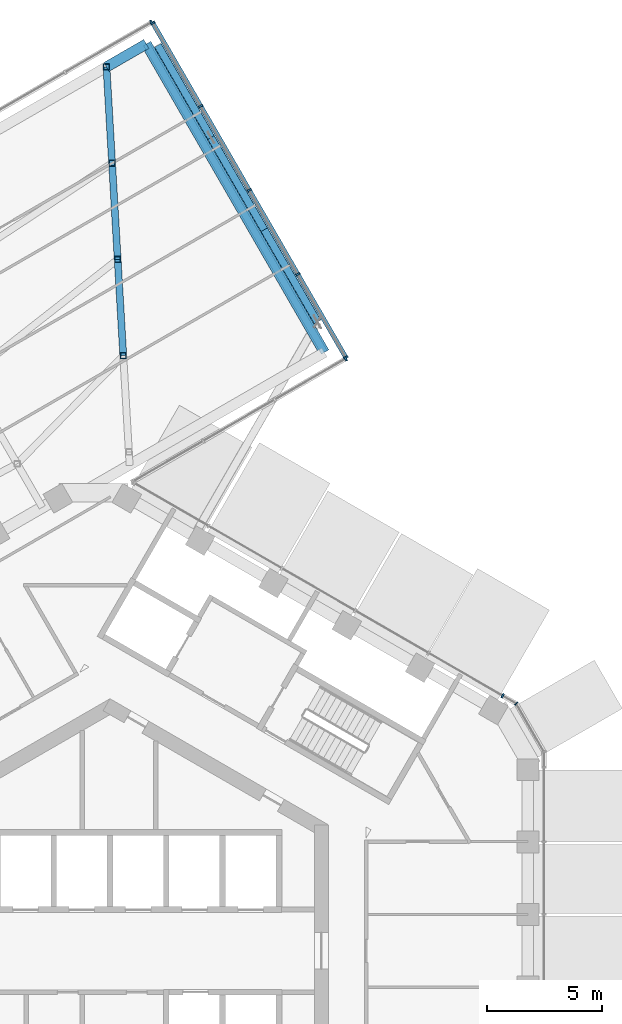
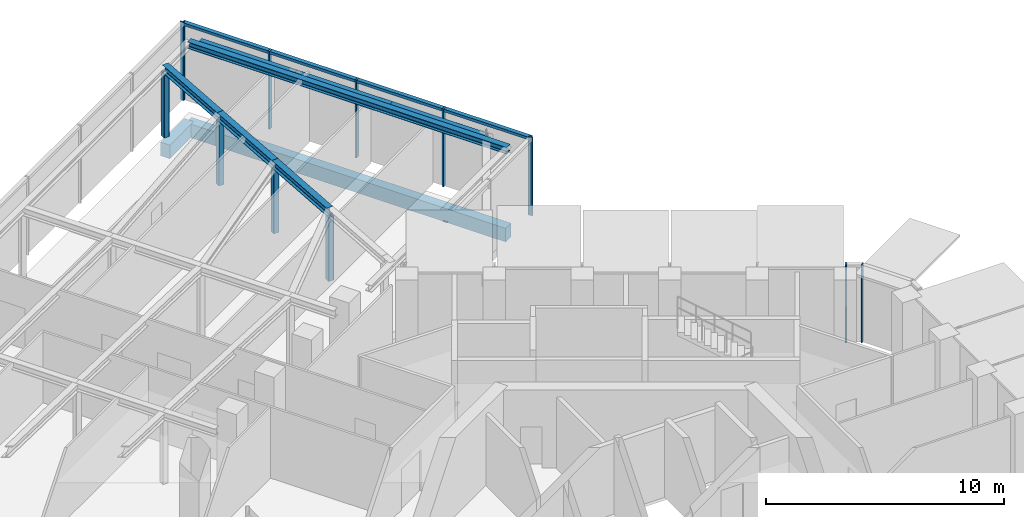
# One storey, part 9 of 27: 17 members, 6 beams, 5 elements without a shape of their own.
"""IFC4 building model written with IfcOpenShell, lengths in metres."""

from ifc_helpers import new_model, si_unit, direction, frame, origin, origin_2d, place, context, subcontext, project, spatial, rectangle, hollow_rectangle, i_section, extrude, material, layer, layer_set, material_profile, profile_set, type_object, element, aggregate, save


model = new_model("IFC4")

# Units and contexts
model_context = context("Model", 3, precision=1e-05, world=origin(), true_north=direction((0.0, 1.0)))
body_context = subcontext(model_context, "Body", "Model", "MODEL_VIEW")
ifc_project = project(units=[si_unit("LENGTHUNIT", "METRE"), si_unit("AREAUNIT", "SQUARE_METRE"), si_unit("VOLUMEUNIT", "CUBIC_METRE"), si_unit("PLANEANGLEUNIT", "RADIAN"), si_unit("MASSUNIT", "GRAM", prefix="KILO")], contexts=[model_context])

# Site, building, storey
site_placement = place(None, origin())
site = spatial("IfcSite", under=ifc_project, at=site_placement, CompositionType="ELEMENT")
building_placement = place(site_placement, origin())
building = spatial("IfcBuilding", under=site, at=building_placement, Name="Ayvan Gate Tower", CompositionType="ELEMENT")
storey_placement = place(building_placement, frame((0.0, 0.0, 194.699951171875)))
storey = spatial("IfcBuildingStorey", under=building, at=storey_placement, Name="L52", CompositionType="ELEMENT", Elevation=194.699951171875)

# Beams
ifc_material_1 = material(Name="Concrete C40/50", Category="concrete")
ifc_material_profile_1 = material_profile(ifc_material_1, rectangle(XDim=0.449951171875, YDim=0.699951171875, at=origin_2d()), Name="RC 450x700")
ifc_profile_set_1 = profile_set([ifc_material_profile_1], Name="Concrete C40/50")
beam_type_1 = type_object("IfcBeamType", Name="Sky bar edge beam RC 450x700 C40/50", PredefinedType="BEAM", material=ifc_profile_set_1)
beam_1_placement = place(storey_placement, frame((-0.152099609375, 38.463623046875, -0.75), z_axis=(0.866010750942, 0.50002537861, 0.0), x_axis=(-0.50002537861, 0.866010750942, 0.0)))
element("IfcBeam", 1, at=beam_1_placement, inside=storey, type_object=beam_type_1, Name="EB-B4-L52-7", PredefinedType="BEAM", context=body_context, shape_type="SweptSolid", body=[
    extrude(rectangle(XDim=0.449951171875, YDim=0.699951171875, at=origin_2d()), origin(), (0.0, 0.0, 1.0), 2.0),
])
beam_2_placement = place(storey_placement, frame((1.579833984375, 39.463623046875, -0.75), z_axis=(0.500001506187, -0.866024534185, 0.0), x_axis=(0.866024534185, 0.500001506187, 0.0)))
element("IfcBeam", 2, at=beam_2_placement, inside=storey, type_object=beam_type_1, Name="EB-B4-L52-8", PredefinedType="BEAM", context=body_context, shape_type="SweptSolid", body=[
    extrude(rectangle(XDim=0.449951171875, YDim=0.699951171875, at=origin_2d()), origin(), (0.0, 0.0, 1.0), 15.5),
])
ifc_material_2 = material(Name="Steel S460ML", Category="steel")
ifc_material_profile_2 = material_profile(ifc_material_2, i_section(OverallWidth=0.300048828125, OverallDepth=0.39990234375, WebThickness=0.013427734375, FlangeThickness=0.02392578125, FilletRadius=0.027099609375, at=origin_2d()), Name="HE 400 B")
ifc_profile_set_2 = profile_set([ifc_material_profile_2], Name="Steel S460ML")
beam_type_2 = type_object("IfcBeamType", Name="Sky bar roof beam B4 HE 400 B", PredefinedType="BEAM", material=ifc_profile_set_2)
beam_3_placement = place(storey_placement, frame((0.578125, 25.8984375, 3.5), z_axis=(-0.058015896038, 0.998315659402, 0.0), x_axis=(-0.998315659402, -0.058015896038, 0.0)))
element("IfcBeam", 3, at=beam_3_placement, inside=storey, type_object=beam_type_2, Name="RB-B4-SBT4-1-3", PredefinedType="BEAM", context=body_context, shape_type="SweptSolid", body=[
    extrude(i_section(OverallWidth=0.300048828125, OverallDepth=0.39990234375, WebThickness=0.013427734375, FlangeThickness=0.02392578125, FilletRadius=0.027099609375, at=origin_2d()), origin(), (0.0, 0.0, 1.0), 4.195556640625),
])
beam_4_placement = place(storey_placement, frame((0.334716796875, 30.0869140625, 3.5), z_axis=(-0.058019266519, 0.998315463525, 0.0), x_axis=(-0.998315463525, -0.058019266519, 0.0)))
element("IfcBeam", 4, at=beam_4_placement, inside=storey, type_object=beam_type_2, Name="RB-B4-SBT4-1-4", PredefinedType="BEAM", context=body_context, shape_type="SweptSolid", body=[
    extrude(i_section(OverallWidth=0.300048828125, OverallDepth=0.39990234375, WebThickness=0.013427734375, FlangeThickness=0.02392578125, FilletRadius=0.027099609375, at=origin_2d()), origin(), (0.0, 0.0, 1.0), 4.1953125),
])
beam_5_placement = place(storey_placement, frame((0.09130859375, 34.275146484375, 3.5), z_axis=(-0.058015896038, 0.998315659402, 0.0), x_axis=(-0.998315659402, -0.058015896038, 0.0)))
element("IfcBeam", 5, at=beam_5_placement, inside=storey, type_object=beam_type_2, Name="RB-B4-SBT4-1-5", PredefinedType="BEAM", context=body_context, shape_type="SweptSolid", body=[
    extrude(i_section(OverallWidth=0.300048828125, OverallDepth=0.39990234375, WebThickness=0.013427734375, FlangeThickness=0.02392578125, FilletRadius=0.027099609375, at=origin_2d()), origin(), (0.0, 0.0, 1.0), 4.195556640625),
])
ifc_material_profile_3 = material_profile(ifc_material_2, i_section(OverallWidth=0.300048828125, OverallDepth=0.340087890625, WebThickness=0.011962890625, FlangeThickness=0.021484375, FilletRadius=0.027099609375, at=origin_2d()), Name="HE 340 B")
ifc_profile_set_3 = profile_set([ifc_material_profile_3], Name="Steel S460ML")
beam_type_3 = type_object("IfcBeamType", Name="Sky bar roof edge beam B4 HE 340 B", PredefinedType="BEAM", material=ifc_profile_set_3)
beam_6_placement = place(storey_placement, frame((1.579833984375, 39.463623046875, 3.530029296875), z_axis=(0.500001506187, -0.866024534185, 0.0), x_axis=(0.866024534185, 0.500001506187, 0.0)))
element("IfcBeam", 6, at=beam_6_placement, inside=storey, type_object=beam_type_3, Name="RE-B4-1-4", PredefinedType="BEAM", context=body_context, shape_type="SweptSolid", body=[
    extrude(i_section(OverallWidth=0.300048828125, OverallDepth=0.340087890625, WebThickness=0.011962890625, FlangeThickness=0.021484375, FilletRadius=0.027099609375, at=origin_2d()), origin(), (0.0, 0.0, 1.0), 15.5),
])

# Members
ifc_material_3 = material(Name="Steel S460NH", Category="steel")
ifc_material_profile_4 = material_profile(ifc_material_3, hollow_rectangle(XDim=0.260009765625, YDim=0.260009765625, WallThickness=0.012451171875, InnerFilletRadius=0.012451171875, OuterFilletRadius=0.018798828125, at=origin_2d()), Name="RHS 260x260x12.5")
ifc_profile_set_4 = profile_set([ifc_material_profile_4], Name="Steel S460NH")
member_type_1 = type_object("IfcMemberType", Name="Sky bar roof post B4 RHS 260x260x12.5", PredefinedType="POST", material=ifc_profile_set_4)
for number, where, z_axis, x_axis, name in (
    (7, (0.578125, 25.8984375, 0.0), (0.0, 0.0, 1.0), (1.0, 0.0, 0.0), "RP-B4-SBT4-1-2"),
    (8, (0.334716796875, 30.0869140625, 0.0), (0.0, 0.0, 1.0), (1.0, 0.0, 0.0), "RP-B4-SBT4-1-3"),
    (9, (0.09130859375, 34.275146484375, 0.0), (0.0, 0.0, 1.0), (1.0, 0.0, 0.0), "RP-B4-SBT4-1-4"),
    (10, (-0.152099609375, 38.463623046875, 0.0), (0.0, 0.0, 1.0), (1.0, 0.0, 0.0), "RP-B4-SBT4-1-5"),
):
    element("IfcMember", number, at=place(storey_placement, frame(where, z_axis=z_axis, x_axis=x_axis)), inside=storey, type_object=member_type_1, Name=name, PredefinedType="POST", context=body_context, shape_type="SweptSolid", body=[
        extrude(hollow_rectangle(XDim=0.260009765625, YDim=0.260009765625, WallThickness=0.012451171875, InnerFilletRadius=0.012451171875, OuterFilletRadius=0.018798828125, at=origin_2d()), origin(), (0.0, 0.0, 1.0), 3.300048828125),
    ])
ifc_material_profile_5 = material_profile(ifc_material_3, hollow_rectangle(XDim=0.35009765625, YDim=0.35009765625, WallThickness=0.01416015625, InnerFilletRadius=0.01416015625, OuterFilletRadius=0.021240234375, at=origin_2d()), Name="RHS 350x350x14.2")
ifc_profile_set_5 = profile_set([ifc_material_profile_5], Name="Steel S460NH")
member_type_2 = type_object("IfcMemberType", Name="Sky bar truss brace B4 RHS 350x350x14.2", PredefinedType="BRACE", material=ifc_profile_set_5)
for number, where, z_axis, x_axis, name in (
    (11, (9.030517578125, 27.368408203125, 3.375), (-0.499986997421, 0.866032910697, 0.0), (-0.866032910697, -0.499986997421, 0.0), "SBX4-B-TC-2"),
    (12, (6.7138671875, 31.381103515625, 3.375), (-0.499986997421, 0.866032910697, 0.0), (-0.866032910697, -0.499986997421, 0.0), "SBX4-B-TC-3"),
    (13, (4.397216796875, 35.393798828125, 3.375), (-0.500009813861, 0.866019737675, 0.0), (-0.866019737675, -0.500009813861, 0.0), "SBX4-B-TC-4"),
):
    element("IfcMember", number, at=place(storey_placement, frame(where, z_axis=z_axis, x_axis=x_axis)), inside=storey, type_object=member_type_2, Name=name, PredefinedType="CHORD", context=body_context, shape_type="SweptSolid", body=[
        extrude(hollow_rectangle(XDim=0.35009765625, YDim=0.35009765625, WallThickness=0.01416015625, InnerFilletRadius=0.01416015625, OuterFilletRadius=0.021240234375, at=origin_2d()), origin(), (0.0, 0.0, 1.0), 4.63330078125),
    ])

# Curtain wall, member
ifc_material_4 = material(Name="Bronze anodised aluminium", Category="aluminium")
ifc_layer_1 = layer(ifc_material_4, 0.199951171875)
ifc_layer_set_1 = layer_set([ifc_layer_1], Name="Bronze anodised aluminium")
curtain_wall_type_1 = type_object("IfcCurtainWallType", Name="Stick curtain wall CW-2", PredefinedType="NOTDEFINED", material=ifc_layer_set_1)
curtain_wall_1_placement = place(storey_placement, origin())
curtain_wall_1 = element("IfcCurtainWall", 14, at=curtain_wall_1_placement, inside=storey, type_object=curtain_wall_type_1, Name="Stick curtain wall CW-2 L52", PredefinedType="NOTDEFINED")
ifc_material_profile_6 = material_profile(ifc_material_4, rectangle(XDim=0.199951171875, YDim=0.070068359375, at=origin_2d()), Name="Stick curtain wall CW-2 mullion 200 x 70")
ifc_profile_set_6 = profile_set([ifc_material_profile_6], Name="Bronze anodised aluminium")
member_type_3 = type_object("IfcMemberType", Name="Stick curtain wall CW-2 mullion 200 x 70", PredefinedType="MULLION", material=ifc_profile_set_6)
member_1_placement = place(storey_placement, frame((17.0859375, 11.09716796875, 0.0), z_axis=(0.0, 0.0, 1.0), x_axis=(0.5, 0.866025403784, 0.0)))
member_1 = element("IfcMember", 15, at=member_1_placement, type_object=member_type_3, Name="CW-2 mullion 1", PredefinedType="MULLION", context=body_context, shape_type="SweptSolid", body=[
    extrude(rectangle(XDim=0.199951171875, YDim=0.070068359375, at=origin_2d()), origin(), (0.0, 0.0, 1.0), 4.0),
])
aggregate(curtain_wall_1, [member_1])

ifc_layer_2 = layer(ifc_material_4, 0.199951171875)
ifc_layer_set_2 = layer_set([ifc_layer_2], Name="Bronze anodised aluminium")
curtain_wall_type_2 = type_object("IfcCurtainWallType", Name="Stick curtain wall CW-4", PredefinedType="NOTDEFINED", material=ifc_layer_set_2)
curtain_wall_2_placement = place(storey_placement, origin())
curtain_wall_2 = element("IfcCurtainWall", 16, at=curtain_wall_2_placement, inside=storey, type_object=curtain_wall_type_2, Name="Stick curtain wall CW-4 L52", PredefinedType="NOTDEFINED")
ifc_material_profile_7 = material_profile(ifc_material_4, rectangle(XDim=0.199951171875, YDim=0.080078125, at=origin_2d()), Name="Stick curtain wall CW-4 mullion 200 x 80")
ifc_profile_set_7 = profile_set([ifc_material_profile_7], Name="Bronze anodised aluminium")
member_type_4 = type_object("IfcMemberType", Name="Stick curtain wall CW-4 mullion 200 x 80", PredefinedType="MULLION", material=ifc_profile_set_7)
member_2_placement = place(storey_placement, frame((10.25146484375, 25.763916015625, 0.0), z_axis=(0.0, 0.0, 1.0), x_axis=(0.5, -0.866025403784, 0.0)))
member_2 = element("IfcMember", 17, at=member_2_placement, type_object=member_type_4, Name="CW-4 mullion 4", PredefinedType="MULLION", context=body_context, shape_type="SweptSolid", body=[
    extrude(rectangle(XDim=0.199951171875, YDim=0.080078125, at=origin_2d()), origin(), (0.0, 0.0, 1.0), 4.0),
])
aggregate(curtain_wall_2, [member_2])

# Curtain wall, members
curtain_wall_3_placement = place(storey_placement, origin())
curtain_wall_3 = element("IfcCurtainWall", 18, at=curtain_wall_3_placement, inside=storey, type_object=curtain_wall_type_2, Name="Stick curtain wall CW-4 L52", PredefinedType="NOTDEFINED")
member_3_placement = place(storey_placement, frame((10.26611328125, 25.818603515625, 0.0), z_axis=(0.0, 0.0, 1.0), x_axis=(0.866025403784, 0.5, 0.0)))
member_3 = element("IfcMember", 19, at=member_3_placement, type_object=member_type_4, Name="CW-4 mullion 1", PredefinedType="MULLION", context=body_context, shape_type="SweptSolid", body=[
    extrude(rectangle(XDim=0.199951171875, YDim=0.080078125, at=origin_2d()), origin(), (0.0, 0.0, 1.0), 4.0),
])
member_4_placement = place(storey_placement, frame((8.173583984375, 29.44287109375, 0.0), z_axis=(0.0, 0.0, 1.0), x_axis=(0.866025403784, 0.5, 0.0)))
member_4 = element("IfcMember", 20, at=member_4_placement, type_object=member_type_4, Name="CW-4 mullion 2", PredefinedType="MULLION", context=body_context, shape_type="SweptSolid", body=[
    extrude(rectangle(XDim=0.199951171875, YDim=0.080078125, at=origin_2d()), origin(), (0.0, 0.0, 1.0), 4.0),
])
member_5_placement = place(storey_placement, frame((6.06103515625, 33.101806640625, 0.0), z_axis=(0.0, 0.0, 1.0), x_axis=(0.866025403784, 0.5, 0.0)))
member_5 = element("IfcMember", 21, at=member_5_placement, type_object=member_type_4, Name="CW-4 mullion 3", PredefinedType="MULLION", context=body_context, shape_type="SweptSolid", body=[
    extrude(rectangle(XDim=0.199951171875, YDim=0.080078125, at=origin_2d()), origin(), (0.0, 0.0, 1.0), 4.0),
])
member_6_placement = place(storey_placement, frame((3.948486328125, 36.7607421875, 0.0), z_axis=(0.0, 0.0, 1.0), x_axis=(0.866025403784, 0.5, 0.0)))
member_6 = element("IfcMember", 22, at=member_6_placement, type_object=member_type_4, Name="CW-4 mullion 4", PredefinedType="MULLION", context=body_context, shape_type="SweptSolid", body=[
    extrude(rectangle(XDim=0.199951171875, YDim=0.080078125, at=origin_2d()), origin(), (0.0, 0.0, 1.0), 4.0),
])
member_7_placement = place(storey_placement, frame((1.856201171875, 40.38525390625, 0.0), z_axis=(0.0, 0.0, 1.0), x_axis=(0.866025403784, 0.5, 0.0)))
member_7 = element("IfcMember", 23, at=member_7_placement, type_object=member_type_4, Name="CW-4 mullion 5", PredefinedType="MULLION", context=body_context, shape_type="SweptSolid", body=[
    extrude(rectangle(XDim=0.199951171875, YDim=0.080078125, at=origin_2d()), origin(), (0.0, 0.0, 1.0), 4.0),
])

# Curtain wall, member
curtain_wall_4_placement = place(storey_placement, origin())
curtain_wall_4 = element("IfcCurtainWall", 24, at=curtain_wall_4_placement, inside=storey, type_object=curtain_wall_type_2, Name="Stick curtain wall CW-4 L52", PredefinedType="NOTDEFINED")
member_8_placement = place(storey_placement, frame((1.801513671875, 40.39990234375, 0.0), z_axis=(0.0, 0.0, 1.0), x_axis=(-0.5, 0.866025403784, 0.0)))
member_8 = element("IfcMember", 25, at=member_8_placement, type_object=member_type_4, Name="CW-4 mullion 1", PredefinedType="MULLION", context=body_context, shape_type="SweptSolid", body=[
    extrude(rectangle(XDim=0.199951171875, YDim=0.080078125, at=origin_2d()), origin(), (0.0, 0.0, 1.0), 4.0),
])
aggregate(curtain_wall_4, [member_8])

# Member
ifc_material_profile_8 = material_profile(ifc_material_4, rectangle(XDim=0.199951171875, YDim=0.139892578125, at=origin_2d()), Name="Stick curtain wall CW-4 transom 200 x 140")
ifc_profile_set_8 = profile_set([ifc_material_profile_8], Name="Bronze anodised aluminium")
member_type_5 = type_object("IfcMemberType", Name="Stick curtain wall CW-4 transom 200 x 140", PredefinedType="USERDEFINED", material=ifc_profile_set_8)
member_9_placement = place(storey_placement, frame((10.26611328125, 25.818603515625, 3.929931640625), z_axis=(-0.499993426809, 0.866029198785, 0.0), x_axis=(-0.866029198785, -0.499993426809, 0.0)))
member_9 = element("IfcMember", 26, at=member_9_placement, type_object=member_type_5, Name="CW-4 transom 1", ObjectType="TRANSOM", PredefinedType="USERDEFINED", context=body_context, shape_type="SweptSolid", body=[
    extrude(rectangle(XDim=0.199951171875, YDim=0.139892578125, at=origin_2d()), origin(), (0.0, 0.0, 1.0), 16.820068359375),
])

aggregate(curtain_wall_3, [member_3, member_4, member_5, member_6, member_7, member_9])

# Curtain wall, member
ifc_layer_3 = layer(ifc_material_4, 0.199951171875)
ifc_layer_set_3 = layer_set([ifc_layer_3], Name="Bronze anodised aluminium")
curtain_wall_type_3 = type_object("IfcCurtainWallType", Name="Stick curtain wall CW-6", PredefinedType="NOTDEFINED", material=ifc_layer_set_3)
curtain_wall_5_placement = place(storey_placement, origin())
curtain_wall_5 = element("IfcCurtainWall", 27, at=curtain_wall_5_placement, inside=storey, type_object=curtain_wall_type_3, Name="Stick curtain wall CW-6 L52", PredefinedType="NOTDEFINED")
ifc_material_profile_9 = material_profile(ifc_material_4, rectangle(XDim=0.199951171875, YDim=0.050048828125, at=origin_2d()), Name="Stick curtain wall CW-6 mullion 200 x 50")
ifc_profile_set_9 = profile_set([ifc_material_profile_9], Name="Bronze anodised aluminium")
member_type_6 = type_object("IfcMemberType", Name="Stick curtain wall CW-6 mullion 200 x 50", PredefinedType="MULLION", material=ifc_profile_set_9)
member_10_placement = place(storey_placement, frame((17.67919921875, 10.754638671875, 0.0), z_axis=(0.0, 0.0, 1.0), x_axis=(0.707106781187, 0.707106781187, 0.0)))
member_10 = element("IfcMember", 28, at=member_10_placement, type_object=member_type_6, Name="CW-6 mullion 3", PredefinedType="MULLION", context=body_context, shape_type="SweptSolid", body=[
    extrude(rectangle(XDim=0.199951171875, YDim=0.050048828125, at=origin_2d()), origin(), (0.0, 0.0, 1.0), 4.0),
])
aggregate(curtain_wall_5, [member_10])

save(model, "model.ifc")
